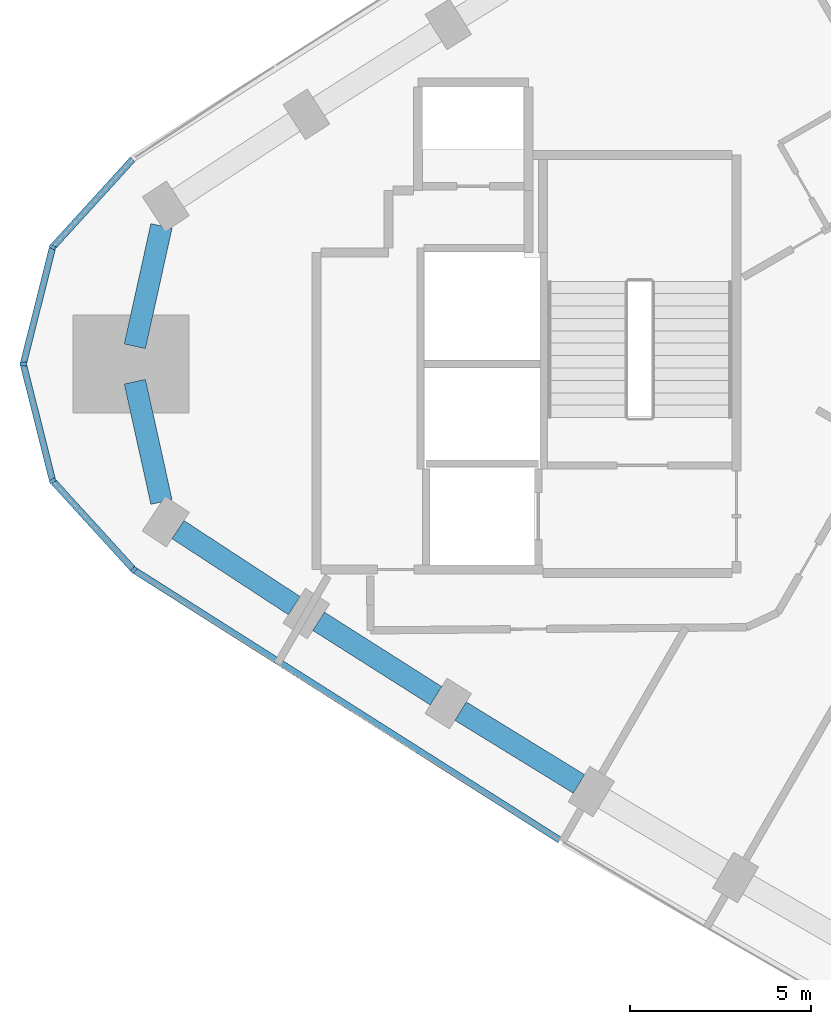
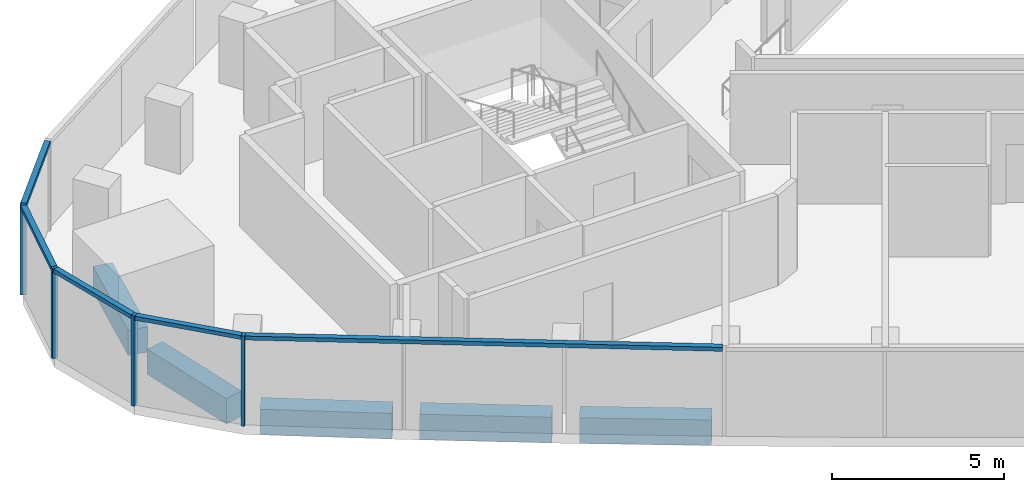
# One storey, part 2 of 11: 9 members, 5 beams, 2 elements without a shape of their own.
"""IFC4 building model written with IfcOpenShell, lengths in metres."""

from ifc_helpers import new_model, si_unit, direction, frame, origin, origin_2d, place, context, subcontext, project, spatial, rectangle, extrude, material, material_profile, profile_set, type_object, element, aggregate, save


model = new_model("IFC4")

# Units and contexts
model_context = context("Model", 3, precision=1e-05, world=origin(), true_north=direction((0.0, 1.0)))
body_context = subcontext(model_context, "Body", "Model", "MODEL_VIEW")
ifc_project = project(units=[si_unit("LENGTHUNIT", "METRE"), si_unit("AREAUNIT", "SQUARE_METRE"), si_unit("VOLUMEUNIT", "CUBIC_METRE"), si_unit("PLANEANGLEUNIT", "RADIAN"), si_unit("MASSUNIT", "GRAM", prefix="KILO")], contexts=[model_context])

# Site, building, storey
site_placement = place(None, origin())
site = spatial("IfcSite", under=ifc_project, at=site_placement, CompositionType="ELEMENT")
building_placement = place(site_placement, origin())
building = spatial("IfcBuilding", under=site, at=building_placement, Name="Tamra Quay Hotel Tower", CompositionType="ELEMENT")
storey_placement = place(building_placement, frame((0.0, 0.0, 208.0)))
storey = spatial("IfcBuildingStorey", under=building, at=storey_placement, Name="L52", CompositionType="ELEMENT", Elevation=208.0)

# Curtain wall, members
ifc_material_1 = material(Name="Aluminium 6063 anodised dark grey", Category="aluminium")
curtain_wall_type_1 = type_object("IfcCurtainWallType", Name="CW2 CURTAIN WALL", PredefinedType="NOTDEFINED", material=ifc_material_1)
curtain_wall_1_placement = place(storey_placement, origin())
curtain_wall_1 = element("IfcCurtainWall", 1, at=curtain_wall_1_placement, inside=storey, type_object=curtain_wall_type_1, Name="CW2 north-west face L52", PredefinedType="NOTDEFINED")
ifc_material_profile_1 = material_profile(ifc_material_1, rectangle(XDim=0.179931640625, YDim=0.10009765625, at=origin_2d()), Name="MULLION 100X180")
ifc_profile_set_1 = profile_set([ifc_material_profile_1], Name="Aluminium 6063 anodised dark grey")
member_type_1 = type_object("IfcMemberType", Name="MULLION CW2 Z4", PredefinedType="MULLION", material=ifc_profile_set_1)
member_1_placement = place(storey_placement, frame((-29.7216796875, 3.227294921875, 0.0), z_axis=(0.0, 0.0, 1.0), x_axis=(-0.881097509676, 0.472934645002, 0.0)))
member_1 = element("IfcMember", 2, at=member_1_placement, type_object=member_type_1, Name="CW2 mullion L52.NW.11", PredefinedType="MULLION", context=body_context, shape_type="SweptSolid", body=[
    extrude(rectangle(XDim=0.179931640625, YDim=0.10009765625, at=origin_2d()), origin(), (0.0, 0.0, 1.0), 3.199951171875),
])
member_2_placement = place(storey_placement, frame((-30.532958984375, 0.0, 0.0), z_axis=(0.0, 0.0, 1.0), x_axis=(-1.0, 0.0, 0.0)))
member_2 = element("IfcMember", 3, at=member_2_placement, type_object=member_type_1, Name="CW2 mullion L52.NW.12", PredefinedType="MULLION", context=body_context, shape_type="SweptSolid", body=[
    extrude(rectangle(XDim=0.179931640625, YDim=0.10009765625, at=origin_2d()), origin(), (0.0, 0.0, 1.0), 3.199951171875),
])
member_3_placement = place(storey_placement, frame((-29.7216796875, -3.227294921875, 0.0), z_axis=(0.0, 0.0, 1.0), x_axis=(-0.881097509676, -0.472934645002, 0.0)))
member_3 = element("IfcMember", 4, at=member_3_placement, type_object=member_type_1, Name="CW2 mullion L52.NW.13", PredefinedType="MULLION", context=body_context, shape_type="SweptSolid", body=[
    extrude(rectangle(XDim=0.179931640625, YDim=0.10009765625, at=origin_2d()), origin(), (0.0, 0.0, 1.0), 3.199951171875),
])

# Curtain wall, member
curtain_wall_type_2 = type_object("IfcCurtainWallType", Name="CW3 CURTAIN WALL", PredefinedType="NOTDEFINED", material=ifc_material_1)
curtain_wall_2_placement = place(storey_placement, origin())
curtain_wall_2 = element("IfcCurtainWall", 5, at=curtain_wall_2_placement, inside=storey, type_object=curtain_wall_type_2, Name="CW3 south-west face L52", PredefinedType="NOTDEFINED")
ifc_material_profile_2 = material_profile(ifc_material_1, rectangle(XDim=0.179931640625, YDim=0.10009765625, at=origin_2d()), Name="MULLION 100X180")
ifc_profile_set_2 = profile_set([ifc_material_profile_2], Name="Aluminium 6063 anodised dark grey")
member_type_2 = type_object("IfcMemberType", Name="MULLION CW3 Z4", PredefinedType="MULLION", material=ifc_profile_set_2)
member_4_placement = place(storey_placement, frame((-27.48046875, -5.687255859375, 0.0), z_axis=(0.0, 0.0, 1.0), x_axis=(-0.648381346761, -0.7613157224, 0.0)))
member_4 = element("IfcMember", 6, at=member_4_placement, type_object=member_type_2, Name="CW3 mullion L52.SW.1", PredefinedType="MULLION", context=body_context, shape_type="SweptSolid", body=[
    extrude(rectangle(XDim=0.179931640625, YDim=0.10009765625, at=origin_2d()), origin(), (0.0, 0.0, 1.0), 3.199951171875),
])

# Beams
ifc_material_2 = material(Name="Concrete M60", Category="concrete")
ifc_material_profile_3 = material_profile(ifc_material_2, rectangle(XDim=0.60009765625, YDim=0.89990234375, at=origin_2d()), Name="SPANDREL BEAM RC 600x900")
ifc_profile_set_3 = profile_set([ifc_material_profile_3], Name="Concrete M60")
beam_type = type_object("IfcBeamType", Name="SPANDREL BEAM RC 600x900", PredefinedType="SPANDREL", material=ifc_profile_set_3)
for number, where, z_axis, x_axis, name in (
    (7, (-26.716552734375, 3.811767578125, -0.800048828125), (-0.215798858353, -0.976437838643, 0.0), (0.976437838643, -0.215798858353, 0.0), "BM-SP4-020-L52"),
    (8, (-27.451171875, -0.48779296875, -0.800048828125), (0.215798858353, -0.976437838643, 0.0), (0.976437838643, 0.215798858353, 0.0), "BM-SP4-021-L52"),
):
    element("IfcBeam", number, at=place(storey_placement, frame(where, z_axis=z_axis, x_axis=x_axis)), inside=storey, type_object=beam_type, Name=name, PredefinedType="SPANDREL", context=body_context, shape_type="SweptSolid", body=[
        extrude(rectangle(XDim=0.60009765625, YDim=0.89990234375, at=origin_2d()), origin(), (0.0, 0.0, 1.0), 3.404296875),
    ])
for number, where, z_axis, x_axis, name in (
    (9, (-26.26171875, -4.573486328125, -0.800048828125), (0.836969613974, -0.547249362983, 0.0), (0.547249362983, 0.836969613974, 0.0), "BM-SP4-022-L52"),
    (10, (-22.377197265625, -7.106689453125, -0.800048828125), (0.844469978785, -0.535602889211, 0.0), (0.535602889211, 0.844469978785, 0.0), "BM-SP4-023-L52"),
):
    element("IfcBeam", number, at=place(storey_placement, frame(where, z_axis=z_axis, x_axis=x_axis)), inside=storey, type_object=beam_type, Name=name, PredefinedType="SPANDREL", context=body_context, shape_type="SweptSolid", body=[
        extrude(rectangle(XDim=0.60009765625, YDim=0.89990234375, at=origin_2d()), origin(), (0.0, 0.0, 1.0), 3.837646484375),
    ])
beam_placement = place(storey_placement, frame((-18.4580078125, -9.585693359375, -0.800048828125), z_axis=(0.851817714835, -0.523838315411, 0.0), x_axis=(0.523838315411, 0.851817714835, 0.0)))
element("IfcBeam", 11, at=beam_placement, inside=storey, type_object=beam_type, Name="BM-SP4-024-L52", PredefinedType="SPANDREL", context=body_context, shape_type="SweptSolid", body=[
    extrude(rectangle(XDim=0.60009765625, YDim=0.89990234375, at=origin_2d()), origin(), (0.0, 0.0, 1.0), 3.837890625),
])

# Member
ifc_material_profile_4 = material_profile(ifc_material_1, rectangle(XDim=0.179931640625, YDim=0.139892578125, at=origin_2d()), Name="TRANSOM 180X140")
ifc_profile_set_4 = profile_set([ifc_material_profile_4], Name="Aluminium 6063 anodised dark grey")
member_type_3 = type_object("IfcMemberType", Name="TRANSOM CW2 Z4", PredefinedType="USERDEFINED", material=ifc_profile_set_4)
member_5_placement = place(storey_placement, frame((-27.513916015625, 5.650146484375, 3.1298828125), z_axis=(-0.673519383869, -0.739169560759, 0.0), x_axis=(0.739169560759, -0.673519383869, 0.0)))
member_5 = element("IfcMember", 12, at=member_5_placement, type_object=member_type_3, Name="CW2 transom L52.NW.10", ObjectType="TRANSOM", PredefinedType="USERDEFINED", context=body_context, shape_type="SweptSolid", body=[
    extrude(rectangle(XDim=0.179931640625, YDim=0.139892578125, at=origin_2d()), origin(), (0.0, 0.0, 1.0), 3.22802734375),
])

member_6_placement = place(storey_placement, frame((-29.73388671875, 3.1787109375, 3.1298828125), z_axis=(-0.243799111264, -0.969825754116, 0.0), x_axis=(0.969825754116, -0.243799111264, 0.0)))
member_6 = element("IfcMember", 13, at=member_6_placement, type_object=member_type_3, Name="CW2 transom L52.NW.11", ObjectType="TRANSOM", PredefinedType="USERDEFINED", context=body_context, shape_type="SweptSolid", body=[
    extrude(rectangle(XDim=0.179931640625, YDim=0.139892578125, at=origin_2d()), origin(), (0.0, 0.0, 1.0), 3.2275390625),
])

member_7_placement = place(storey_placement, frame((-30.520751953125, -0.048583984375, 3.1298828125), z_axis=(0.243799111264, -0.969825754116, 0.0), x_axis=(0.969825754116, 0.243799111264, 0.0)))
member_7 = element("IfcMember", 14, at=member_7_placement, type_object=member_type_3, Name="CW2 transom L52.NW.12", ObjectType="TRANSOM", PredefinedType="USERDEFINED", context=body_context, shape_type="SweptSolid", body=[
    extrude(rectangle(XDim=0.179931640625, YDim=0.139892578125, at=origin_2d()), origin(), (0.0, 0.0, 1.0), 3.2275390625),
])

member_8_placement = place(storey_placement, frame((-29.68798828125, -3.26416015625, 3.1298828125), z_axis=(0.673519383869, -0.739169560759, 0.0), x_axis=(0.739169560759, 0.673519383869, 0.0)))
member_8 = element("IfcMember", 15, at=member_8_placement, type_object=member_type_3, Name="CW2 transom L52.NW.13", ObjectType="TRANSOM", PredefinedType="USERDEFINED", context=body_context, shape_type="SweptSolid", body=[
    extrude(rectangle(XDim=0.179931640625, YDim=0.139892578125, at=origin_2d()), origin(), (0.0, 0.0, 1.0), 3.22802734375),
])

aggregate(curtain_wall_1, [member_5, member_1, member_6, member_2, member_7, member_3, member_8])

ifc_material_profile_5 = material_profile(ifc_material_1, rectangle(XDim=0.179931640625, YDim=0.139892578125, at=origin_2d()), Name="TRANSOM 180X140")
ifc_profile_set_5 = profile_set([ifc_material_profile_5], Name="Aluminium 6063 anodised dark grey")
member_type_4 = type_object("IfcMemberType", Name="TRANSOM CW3 Z4", PredefinedType="USERDEFINED", material=ifc_profile_set_5)
member_9_placement = place(storey_placement, frame((-27.4384765625, -5.714599609375, 3.1298828125), z_axis=(0.844484125962, -0.535580583105, 0.0), x_axis=(0.535580583105, 0.844484125962, 0.0)))
member_9 = element("IfcMember", 16, at=member_9_placement, type_object=member_type_4, Name="CW3 transom L52.SW.1", ObjectType="TRANSOM", PredefinedType="USERDEFINED", context=body_context, shape_type="SweptSolid", body=[
    extrude(rectangle(XDim=0.179931640625, YDim=0.139892578125, at=origin_2d()), origin(), (0.0, 0.0, 1.0), 13.877685546875),
])

aggregate(curtain_wall_2, [member_4, member_9])

save(model, "model.ifc")
